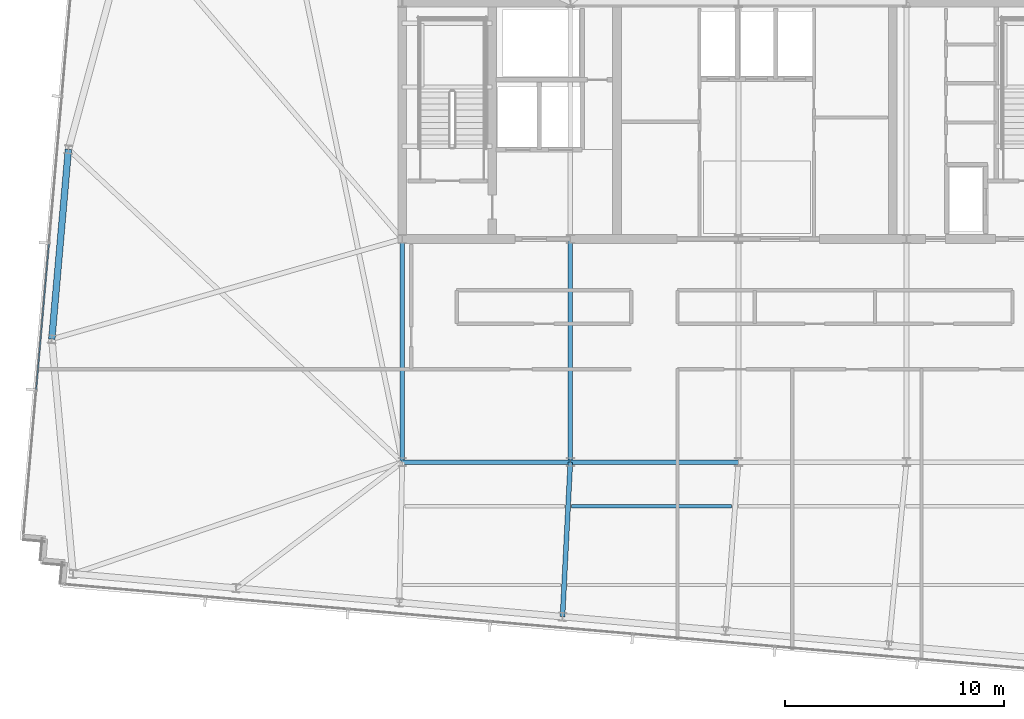
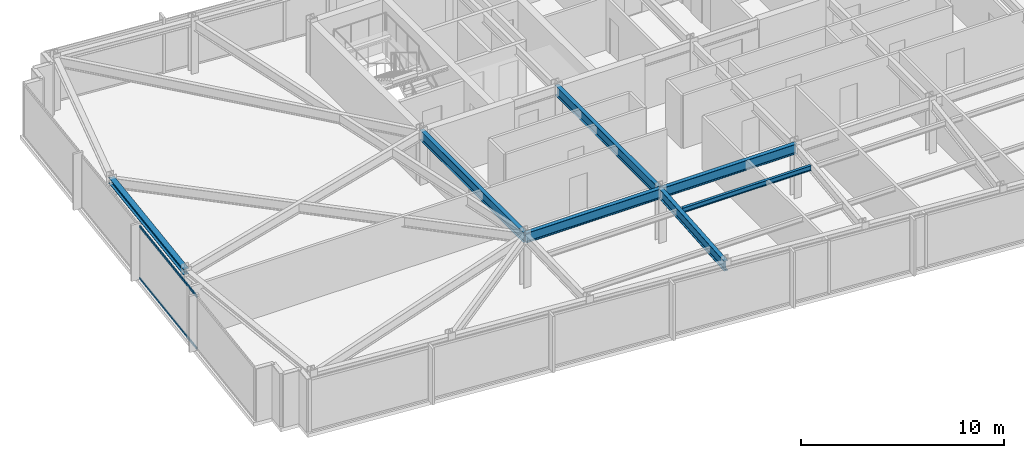
# One storey, part 8 of 32: 7 beams, 2 members, 1 element without a shape of its own.
"""IFC4 building model written with IfcOpenShell, lengths in metres."""

from ifc_helpers import new_model, si_unit, direction, frame, origin, origin_2d, place, context, subcontext, project, spatial, hollow_rectangle, i_section, extrude, material, material_profile, profile_set, type_object, element, aggregate, save


model = new_model("IFC4")

# Units and contexts
model_context = context("Model", 3, precision=1e-05, world=origin(), true_north=direction((0.0, 1.0)))
body_context = subcontext(model_context, "Body", "Model", "MODEL_VIEW")
ifc_project = project(units=[si_unit("LENGTHUNIT", "METRE"), si_unit("AREAUNIT", "SQUARE_METRE"), si_unit("VOLUMEUNIT", "CUBIC_METRE"), si_unit("PLANEANGLEUNIT", "RADIAN"), si_unit("MASSUNIT", "GRAM", prefix="KILO")], contexts=[model_context])

# Site, building, storey
site_placement = place(None, origin())
site = spatial("IfcSite", under=ifc_project, at=site_placement, CompositionType="ELEMENT")
building_placement = place(site_placement, origin())
building = spatial("IfcBuilding", under=site, at=building_placement, Name="Yelkora Congress Tower", CompositionType="ELEMENT")
storey_placement = place(building_placement, frame((0.0, 0.0, 293.10009765625)))
storey = spatial("IfcBuildingStorey", under=building, at=storey_placement, Name="L82", CompositionType="ELEMENT", Elevation=293.10009765625)

# Beams
ifc_material_1 = material(Name="Steel S355J2", Category="steel")
ifc_material_profile_1 = material_profile(ifc_material_1, i_section(OverallWidth=0.219970703125, OverallDepth=0.60009765625, WebThickness=0.011962890625, FlangeThickness=0.01904296875, FilletRadius=0.02392578125, at=origin_2d()), Name="IPE 600")
ifc_profile_set_1 = profile_set([ifc_material_profile_1], Name="Steel S355J2")
beam_type_1 = type_object("IfcBeamType", Name="BM-GIRD-IPE600", PredefinedType="BEAM", material=ifc_profile_set_1)
for number, where, z_axis, x_axis, name in (
    (1, (23.0400390625, 25.199951171875, 2.8798828125), (1.0, 0.0, 0.0), (0.0, 1.0, 0.0), "L82 Spine Grid D Girder 1"),
    (2, (30.719970703125, 25.199951171875, 2.8798828125), (1.0, 0.0, 0.0), (0.0, 1.0, 0.0), "L82 Spine Grid D Girder 2"),
):
    element("IfcBeam", number, at=place(storey_placement, frame(where, z_axis=z_axis, x_axis=x_axis)), inside=storey, type_object=beam_type_1, Name=name, PredefinedType="BEAM", context=body_context, shape_type="SweptSolid", body=[
        extrude(i_section(OverallWidth=0.219970703125, OverallDepth=0.60009765625, WebThickness=0.011962890625, FlangeThickness=0.01904296875, FilletRadius=0.02392578125, at=origin_2d()), origin(), (0.0, 0.0, 1.0), 7.679931640625),
    ])
for number, where, z_axis, x_axis, name in (
    (3, (23.0400390625, 25.199951171875, 2.8798828125), (0.0, 1.0, 0.0), (-1.0, 0.0, 0.0), "L82 Core Tie Girder MC-D1"),
    (4, (30.719970703125, 25.199951171875, 2.8798828125), (0.0, 1.0, 0.0), (-1.0, 0.0, 0.0), "L82 Core Tie Girder MC-D2"),
):
    element("IfcBeam", number, at=place(storey_placement, frame(where, z_axis=z_axis, x_axis=x_axis)), inside=storey, type_object=beam_type_1, Name=name, PredefinedType="BEAM", context=body_context, shape_type="SweptSolid", body=[
        extrude(i_section(OverallWidth=0.219970703125, OverallDepth=0.60009765625, WebThickness=0.011962890625, FlangeThickness=0.01904296875, FilletRadius=0.02392578125, at=origin_2d()), origin(), (0.0, 0.0, 1.0), 10.199951171875),
    ])
beam_1_placement = place(storey_placement, frame((30.362548828125, 18.14111328125, 2.8798828125), z_axis=(0.050569876836, 0.998720525251, 0.0), x_axis=(-0.998720525251, 0.050569876836, 0.0)))
element("IfcBeam", 5, at=beam_1_placement, inside=storey, type_object=beam_type_1, Name="L82 Primary Frame Girder S04", PredefinedType="BEAM", context=body_context, shape_type="SweptSolid", body=[
    extrude(i_section(OverallWidth=0.219970703125, OverallDepth=0.60009765625, WebThickness=0.011962890625, FlangeThickness=0.01904296875, FilletRadius=0.02392578125, at=origin_2d()), origin(), (0.0, 0.0, 1.0), 7.06787109375),
])
ifc_material_profile_2 = material_profile(ifc_material_1, i_section(OverallWidth=0.14990234375, OverallDepth=0.300048828125, WebThickness=0.007080078125, FlangeThickness=0.0107421875, FilletRadius=0.014892578125, at=origin_2d()), Name="IPE 300")
ifc_profile_set_2 = profile_set([ifc_material_profile_2], Name="Steel S355J2")
beam_type_2 = type_object("IfcBeamType", Name="BM-JOIST-IPE300", PredefinedType="JOIST", material=ifc_profile_set_2)
beam_2_placement = place(storey_placement, frame((30.778076171875, 23.1845703125, 3.02978515625), z_axis=(1.0, 0.0, 0.0), x_axis=(0.0, 1.0, 0.0)))
element("IfcBeam", 6, at=beam_2_placement, inside=storey, type_object=beam_type_2, Name="L82 Composite Floor Joist 6", PredefinedType="JOIST", context=body_context, shape_type="SweptSolid", body=[
    extrude(i_section(OverallWidth=0.14990234375, OverallDepth=0.300048828125, WebThickness=0.007080078125, FlangeThickness=0.0107421875, FilletRadius=0.014892578125, at=origin_2d()), origin(), (0.0, 0.0, 1.0), 7.3095703125),
])
ifc_material_profile_3 = material_profile(ifc_material_1, i_section(OverallWidth=0.300048828125, OverallDepth=0.340087890625, WebThickness=0.011962890625, FlangeThickness=0.021484375, FilletRadius=0.027099609375, at=origin_2d()), Name="HEB 340")
ifc_profile_set_3 = profile_set([ifc_material_profile_3], Name="Steel S355J2")
beam_type_3 = type_object("IfcBeamType", Name="BM-SPAN-HEB340", PredefinedType="SPANDREL", material=ifc_profile_set_3)
beam_3_placement = place(storey_placement, frame((7.787353515625, 39.489990234375, 3.010009765625), z_axis=(-0.08715998813, -0.99619432666, 0.0), x_axis=(0.99619432666, -0.08715998813, 0.0)))
element("IfcBeam", 7, at=beam_3_placement, inside=storey, type_object=beam_type_3, Name="L82 Perimeter Beam 14", PredefinedType="SPANDREL", context=body_context, shape_type="SweptSolid", body=[
    extrude(i_section(OverallWidth=0.300048828125, OverallDepth=0.340087890625, WebThickness=0.011962890625, FlangeThickness=0.021484375, FilletRadius=0.027099609375, at=origin_2d()), origin(), (0.0, 0.0, 1.0), 8.7001953125),
])

# Curtain wall, members
ifc_material_2 = material(Name="Anodised aluminium and insulated glass", Category="aluminium")
curtain_wall_type = type_object("IfcCurtainWallType", Name="CW-SYS-B5", PredefinedType="NOTDEFINED", material=ifc_material_2)
curtain_wall_placement = place(storey_placement, origin())
curtain_wall = element("IfcCurtainWall", 8, at=curtain_wall_placement, inside=storey, type_object=curtain_wall_type, Name="L82 Unitised Curtain Wall 5", PredefinedType="NOTDEFINED")
ifc_material_3 = material(Name="Anodised aluminium 6063-T6", Category="aluminium")
ifc_material_profile_4 = material_profile(ifc_material_3, hollow_rectangle(XDim=0.06005859375, YDim=0.1298828125, WallThickness=0.00390625, at=origin_2d()), Name="ALU 60x130x4")
ifc_profile_set_4 = profile_set([ifc_material_profile_4], Name="Anodised aluminium 6063-T6")
member_type = type_object("IfcMemberType", Name="MEM-TR-B5", PredefinedType="USERDEFINED", material=ifc_profile_set_4)
member_1_placement = place(storey_placement, frame((6.31640625, 28.529052734375, 0.02978515625), z_axis=(0.087182854761, 0.996192325726, 0.0), x_axis=(-0.996192325726, 0.087182854761, 0.0)))
member_1 = element("IfcMember", 9, at=member_1_placement, type_object=member_type, Name="CW-B5 transom 2.1", ObjectType="TRANSOM", PredefinedType="USERDEFINED", context=body_context, shape_type="SweptSolid", body=[
    extrude(hollow_rectangle(XDim=0.06005859375, YDim=0.1298828125, WallThickness=0.00390625, at=origin_2d()), origin(), (0.0, 0.0, 1.0), 6.664794921875),
])
member_2_placement = place(storey_placement, frame((6.31640625, 28.529052734375, 3.14990234375), z_axis=(0.087182854761, 0.996192325726, 0.0), x_axis=(-0.996192325726, 0.087182854761, 0.0)))
member_2 = element("IfcMember", 10, at=member_2_placement, type_object=member_type, Name="CW-B5 transom 2.2", ObjectType="TRANSOM", PredefinedType="USERDEFINED", context=body_context, shape_type="SweptSolid", body=[
    extrude(hollow_rectangle(XDim=0.06005859375, YDim=0.1298828125, WallThickness=0.00390625, at=origin_2d()), origin(), (0.0, 0.0, 1.0), 6.664794921875),
])
aggregate(curtain_wall, [member_1, member_2])

save(model, "model.ifc")
